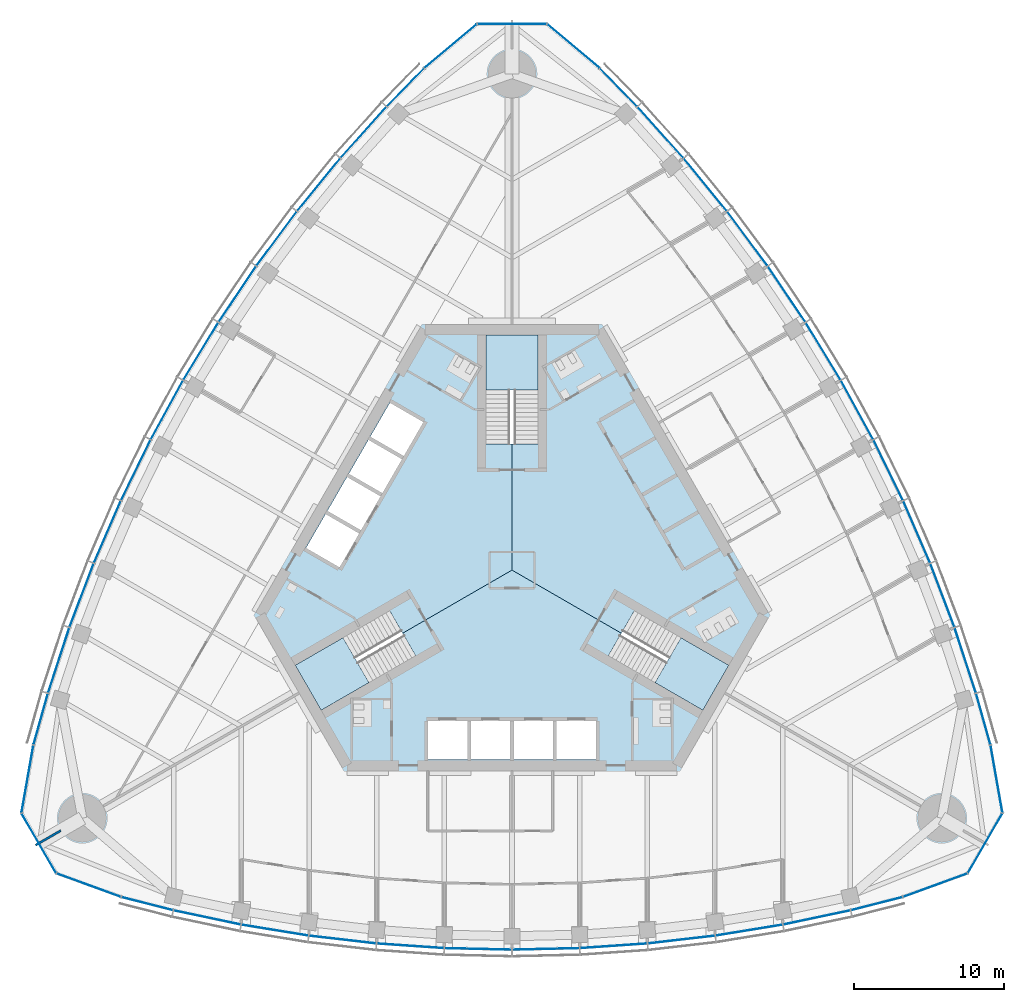
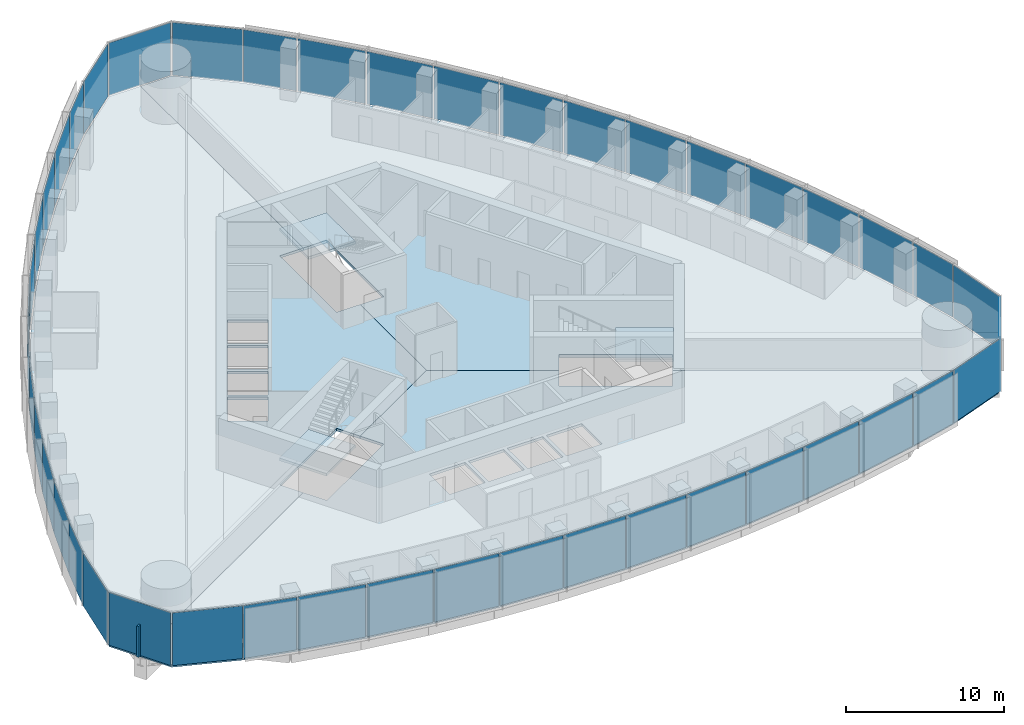
# One storey, part 10 of 20: 45 plates, 6 slabs, 1 wall, 9 elements without a shape of their own.
"""IFC4 building model written with IfcOpenShell, lengths in metres."""

import ifcopenshell
import ifcopenshell.guid

model = None  # the IFC model being written
_history = None  # IfcOwnerHistory: only IFC2X3 demands one
_inside = {}  # id of a spatial element -> (the spatial element, [elements in it])
_under = {}  # id of a project, library or spatial element -> (it, [spatial elements below it])
_declared = {}  # id of a project -> (the project, [libraries it declares])
_typed = {}  # id of a type object -> (the type object, [elements of that type])
_made_of = {}  # id of a material, layer set ... -> (it, [elements and type objects made of it])


def new_model(schema):
    """Start an empty IFC model of exactly this schema.

    Asked for "IFC4X3", IfcOpenShell would pick the latest addendum, in which some entities
    have other attributes; the version numbers below select the first issue.
    IFC2X3 requires an IfcOwnerHistory on every rooted entity: one is made here for all.
    """
    global model, _history
    if schema == "IFC4X3":
        model = ifcopenshell.file(schema_version=(4, 3, 0, 0))
    else:
        model = ifcopenshell.file(schema=schema)
    _inside.clear()
    _under.clear()
    _declared.clear()
    _typed.clear()
    _made_of.clear()
    _history = None
    if model.schema == "IFC2X3":
        org = make("IfcOrganization", Name="unknown")
        user = make(
            "IfcPersonAndOrganization",
            ThePerson=make("IfcPerson", FamilyName="unknown"),
            TheOrganization=org,
        )
        app = make(
            "IfcApplication",
            ApplicationDeveloper=org,
            Version="unknown",
            ApplicationFullName="unknown",
            ApplicationIdentifier="unknown",
        )
        _history = make(
            "IfcOwnerHistory",
            OwningUser=user,
            OwningApplication=app,
            ChangeAction="ADDED",
            CreationDate=0,
        )
    return model


def make(cls, **values):
    """One entity of the class cls with the attributes given. An attribute that is None is left unset."""
    return model.create_entity(
        cls, **{name: value for name, value in values.items() if value is not None}
    )


def rooted(cls, **values):
    """An entity with a GlobalId (a new one), such as an element, a storey or a relation."""
    return make(cls, GlobalId=ifcopenshell.guid.new(), OwnerHistory=_history, **values)


def si_unit(unit_type, name, prefix=None):
    """IfcSIUnit, for example si_unit("LENGTHUNIT", "METRE", prefix="MILLI")."""
    return make("IfcSIUnit", UnitType=unit_type, Prefix=prefix, Name=name)


def assignment(units):
    """IfcUnitAssignment: the units of a project."""
    return None if units is None else make("IfcUnitAssignment", Units=units)


def point(xyz):
    """IfcCartesianPoint."""
    return None if xyz is None else make("IfcCartesianPoint", Coordinates=xyz)


def direction(xyz):
    """IfcDirection."""
    return None if xyz is None else make("IfcDirection", DirectionRatios=xyz)


def frame(location, z_axis=None, x_axis=None):
    """IfcAxis2Placement3D, a coordinate frame: its origin and axes. An axis left out is left unset."""
    return make(
        "IfcAxis2Placement3D",
        Location=point(location),
        Axis=direction(z_axis),
        RefDirection=direction(x_axis),
    )


def frame_2d(location, x_axis=None):
    """IfcAxis2Placement2D, a coordinate frame in the plane: its origin and x axis."""
    return make(
        "IfcAxis2Placement2D", Location=point(location), RefDirection=direction(x_axis)
    )


def origin():
    """The frame at (0, 0, 0) with its axes left unset."""
    return frame((0.0, 0.0, 0.0))


def origin_2d():
    """The frame at (0, 0) in the plane with its x axis left unset."""
    return frame_2d((0.0, 0.0))


def place(relative_to, where):
    """IfcLocalPlacement: puts the frame where relative to a parent placement (None: the world)."""
    return make(
        "IfcLocalPlacement", PlacementRelTo=relative_to, RelativePlacement=where
    )


def context(
    kind, dimensions, precision=None, world=None, true_north=None, identifier=None
):
    """IfcGeometricRepresentationContext, for example the 3D "Model" context."""
    return make(
        "IfcGeometricRepresentationContext",
        ContextIdentifier=identifier,
        ContextType=kind,
        CoordinateSpaceDimension=dimensions,
        Precision=precision,
        WorldCoordinateSystem=world,
        TrueNorth=true_north,
    )


def subcontext(parent, identifier, kind, view, scale=None):
    """IfcGeometricRepresentationSubContext, for example "Body" below "Model"."""
    return make(
        "IfcGeometricRepresentationSubContext",
        ContextIdentifier=identifier,
        ContextType=kind,
        ParentContext=parent,
        TargetScale=scale,
        TargetView=view,
    )


def project(units=None, contexts=None):
    """IfcProject with its units and contexts."""
    return rooted(
        "IfcProject",
        Name="project",
        RepresentationContexts=contexts,
        UnitsInContext=assignment(units),
    )


def spatial(cls, under=None, at=None, **own):
    """A site, building, storey or space (cls), placed at a placement, below another one or the project."""
    s = rooted(cls, ObjectPlacement=at, **own)
    if under is not None:
        _under.setdefault(under.id(), (under, []))[1].append(s)
    return s


def polyline(points):
    """IfcPolyline through the points."""
    return make("IfcPolyline", Points=[point(p) for p in points])


def profile(cls, at=None, kind="AREA", **sizes):
    """A parametric profile (cls). Its sizes go by their IFC names, for example OverallWidth=200.0."""
    return make(cls, ProfileType=kind, Position=at, **sizes)


def rectangle(**sizes):
    """IfcRectangleProfileDef."""
    return profile("IfcRectangleProfileDef", **sizes)


def outline(outer, holes=None, kind="AREA"):
    """IfcArbitraryClosedProfileDef: a profile drawn as a closed curve; with holes, ...WithVoids."""
    if holes is None:
        return make("IfcArbitraryClosedProfileDef", ProfileType=kind, OuterCurve=outer)
    return make(
        "IfcArbitraryProfileDefWithVoids",
        ProfileType=kind,
        OuterCurve=outer,
        InnerCurves=holes,
    )


def extrude(swept, where, along, depth):
    """IfcExtrudedAreaSolid: the profile swept, set in the frame where, extruded along a direction by depth."""
    return make(
        "IfcExtrudedAreaSolid",
        SweptArea=swept,
        Position=where,
        ExtrudedDirection=direction(along),
        Depth=depth,
    )


def shape(context_of_items, identifier, shape_type, items):
    """IfcShapeRepresentation: the items that make up one representation, for example the "Body"."""
    return make(
        "IfcShapeRepresentation",
        ContextOfItems=context_of_items,
        RepresentationIdentifier=identifier,
        RepresentationType=shape_type,
        Items=items,
    )


def material(Name=None, Category=None):
    """IfcMaterial."""
    return make("IfcMaterial", Name=Name, Category=Category)


def layer(
    of_material, thickness, ventilated=None, Name=None, Category=None, Priority=None
):
    """IfcMaterialLayer: one layer of a wall or slab, of a material (None: an air gap)."""
    return make(
        "IfcMaterialLayer",
        Material=of_material,
        LayerThickness=thickness,
        IsVentilated=ventilated,
        Name=Name,
        Category=Category,
        Priority=Priority,
    )


def layer_set(layers, Name=None):
    """IfcMaterialLayerSet."""
    return make("IfcMaterialLayerSet", MaterialLayers=layers, LayerSetName=Name)


def made_of(thing, what):
    """Note that an element or type object is made of a material, layer set ...; save() writes the relation."""
    if what is not None:
        _made_of.setdefault(what.id(), (what, []))[1].append(thing)
    return thing


def type_object(cls, material=None, **own):
    """A type object (cls), such as IfcWallType, which elements share."""
    return made_of(rooted(cls, **own), material)


def element(
    cls,
    number,
    at=None,
    inside=None,
    cuts=None,
    type_object=None,
    material=None,
    context=None,
    identifier="Body",
    shape_type=None,
    held_by="IfcProductDefinitionShape",
    body=None,
    shapes=None,
    **own,
):
    """One element of the class cls, such as IfcWall. Its Tag is "e" and its number.

    at: its placement. inside: the storey or other place that contains it. cuts: it is an
    opening in that element (IfcRelVoidsElement). A single representation is given by context,
    identifier, shape_type and body (its items); several are given by shapes. held_by: the class
    of the entity that holds the representations. save() writes the other relations.
    """
    e = rooted(cls, Tag="e%d" % number, ObjectPlacement=at, **own)
    if body is not None:
        shapes = [shape(context, identifier, shape_type, body)]
    if shapes is not None:
        e.Representation = make(held_by, Representations=shapes)
    if inside is not None:
        _inside.setdefault(inside.id(), (inside, []))[1].append(e)
    if cuts is not None:
        rooted(
            "IfcRelVoidsElement", RelatingBuildingElement=cuts, RelatedOpeningElement=e
        )
    if type_object is not None:
        _typed.setdefault(type_object.id(), (type_object, []))[1].append(e)
    return made_of(e, material)


def aggregate(whole, parts):
    """IfcRelAggregates: a whole, such as a stair, and the parts it consists of."""
    return rooted("IfcRelAggregates", RelatingObject=whole, RelatedObjects=parts)


def save(model, path):
    """Write the relations noted so far, then the file.

    IfcRelAggregates (storeys below a building ...), IfcRelContainedInSpatialStructure (elements
    in a storey), IfcRelDefinesByType, IfcRelAssociatesMaterial and IfcRelDeclares: one each for
    every whole, place, type object, material and project.
    """
    for whole, parts in _under.values():
        aggregate(whole, parts)
    for where, things in _inside.values():
        rooted(
            "IfcRelContainedInSpatialStructure",
            RelatedElements=things,
            RelatingStructure=where,
        )
    for kind, things in _typed.values():
        rooted("IfcRelDefinesByType", RelatedObjects=things, RelatingType=kind)
    for what, things in _made_of.values():
        rooted("IfcRelAssociatesMaterial", RelatedObjects=things, RelatingMaterial=what)
    for by, libraries in _declared.values():
        rooted("IfcRelDeclares", RelatingContext=by, RelatedDefinitions=libraries)
    model.write(path)


model = new_model("IFC4")

# Units and contexts
model_context = context("Model", 3, precision=1e-05, world=origin(), true_north=direction((0.0, 1.0)))
body_context = subcontext(model_context, "Body", "Model", "MODEL_VIEW")
ifc_project = project(units=[si_unit("LENGTHUNIT", "METRE"), si_unit("AREAUNIT", "SQUARE_METRE"), si_unit("VOLUMEUNIT", "CUBIC_METRE"), si_unit("PLANEANGLEUNIT", "RADIAN"), si_unit("MASSUNIT", "GRAM", prefix="KILO")], contexts=[model_context])

# Site, building, storey
site_placement = place(None, origin())
site = spatial("IfcSite", under=ifc_project, at=site_placement, CompositionType="ELEMENT")
building_placement = place(site_placement, origin())
building = spatial("IfcBuilding", under=site, at=building_placement, Name="Trefoil Bronze Tower", CompositionType="ELEMENT")
storey_placement = place(building_placement, frame((0.0, 0.0, 231.699951171875)))
storey = spatial("IfcBuildingStorey", under=building, at=storey_placement, Name="L53", CompositionType="ELEMENT", Elevation=231.699951171875)

# Curtain wall, plates
ifc_material_1 = material(Name="Tinted solar-control glass", Category="glass")
curtain_wall_type_1 = type_object("IfcCurtainWallType", Name="Bronze office curtain wall", PredefinedType="USERDEFINED", material=ifc_material_1)
curtain_wall_1_placement = place(storey_placement, origin())
curtain_wall_1 = element("IfcCurtainWall", 1, at=curtain_wall_1_placement, inside=storey, type_object=curtain_wall_type_1, Name="CW-A L53 F1", ObjectType="CURTAIN WALL", PredefinedType="USERDEFINED")
ifc_material_2 = material(Name="Tinted solar-control glass", Category="glass")
ifc_layer_1 = layer(ifc_material_2, 0.030029296875)
ifc_layer_set_1 = layer_set([ifc_layer_1], Name="Bronze office curtain wall glass panel")
plate_type_1 = type_object("IfcPlateType", Name="Bronze office curtain wall glass panel", PredefinedType="CURTAIN_PANEL", material=ifc_layer_set_1)
plate_1_placement = place(storey_placement, frame((-24.251220703125, -22.188232421875, 0.0), z_axis=(0.0, 0.0, 1.0), x_axis=(0.968934035393, -0.247319297786, 0.0)))
plate_1 = element("IfcPlate", 2, at=plate_1_placement, type_object=plate_type_1, Name="CW-A L53 F1 panel 1", PredefinedType="CURTAIN_PANEL", context=body_context, shape_type="SweptSolid", body=[
    extrude(rectangle(XDim=3.483642578125, YDim=0.030029296875, at=origin_2d()), origin(), (0.0, 0.0, 1.0), 4.080078125),
])
plate_2_placement = place(storey_placement, frame((-20.270751953125, -23.105224609375, 0.0), z_axis=(0.0, 0.0, 1.0), x_axis=(0.978394335897, -0.20674748725, 0.0)))
plate_2 = element("IfcPlate", 3, at=plate_2_placement, type_object=plate_type_1, Name="CW-A L53 F1 panel 2", PredefinedType="CURTAIN_PANEL", context=body_context, shape_type="SweptSolid", body=[
    extrude(rectangle(XDim=4.519287109375, YDim=0.030029296875, at=origin_2d()), origin(), (0.0, 0.0, 1.0), 4.080078125),
])
plate_3_placement = place(storey_placement, frame((-15.76611328125, -23.9482421875, 0.0), z_axis=(0.0, 0.0, 1.0), x_axis=(0.986986549528, -0.160802832848, 0.0)))
plate_3 = element("IfcPlate", 4, at=plate_3_placement, type_object=plate_type_1, Name="CW-A L53 F1 panel 3", PredefinedType="CURTAIN_PANEL", context=body_context, shape_type="SweptSolid", body=[
    extrude(rectangle(XDim=4.479248046875, YDim=0.030029296875, at=origin_2d()), origin(), (0.0, 0.0, 1.0), 4.080078125),
])
plate_4_placement = place(storey_placement, frame((-11.261474609375, -24.57568359375, 0.0), z_axis=(0.0, 0.0, 1.0), x_axis=(0.993381831741, -0.114858767043, 0.0)))
plate_4 = element("IfcPlate", 5, at=plate_4_placement, type_object=plate_type_1, Name="CW-A L53 F1 panel 4", PredefinedType="CURTAIN_PANEL", context=body_context, shape_type="SweptSolid", body=[
    extrude(rectangle(XDim=4.449951171875, YDim=0.030029296875, at=origin_2d()), origin(), (0.0, 0.0, 1.0), 4.080078125),
])
plate_5_placement = place(storey_placement, frame((-6.7568359375, -24.991455078125, 0.0), z_axis=(0.0, 0.0, 1.0), x_axis=(0.99762252804, -0.068915103905, 0.0)))
plate_5 = element("IfcPlate", 6, at=plate_5_placement, type_object=plate_type_1, Name="CW-A L53 F1 panel 5", PredefinedType="CURTAIN_PANEL", context=body_context, shape_type="SweptSolid", body=[
    extrude(rectangle(XDim=4.4306640625, YDim=0.030029296875, at=origin_2d()), origin(), (0.0, 0.0, 1.0), 4.080078125),
])
plate_6_placement = place(storey_placement, frame((-2.252197265625, -25.198974609375, 0.0), z_axis=(0.0, 0.0, 1.0), x_axis=(0.999736116243, -0.022971675577, 0.0)))
plate_6 = element("IfcPlate", 7, at=plate_6_placement, type_object=plate_type_1, Name="CW-A L53 F1 panel 6", PredefinedType="CURTAIN_PANEL", context=body_context, shape_type="SweptSolid", body=[
    extrude(rectangle(XDim=4.421142578125, YDim=0.030029296875, at=origin_2d()), origin(), (0.0, 0.0, 1.0), 4.080078125),
])
plate_7_placement = place(storey_placement, frame((2.252197265625, -25.198974609375, 0.0), z_axis=(0.0, 0.0, 1.0), x_axis=(0.999736116243, 0.022971675577, 0.0)))
plate_7 = element("IfcPlate", 8, at=plate_7_placement, type_object=plate_type_1, Name="CW-A L53 F1 panel 7", PredefinedType="CURTAIN_PANEL", context=body_context, shape_type="SweptSolid", body=[
    extrude(rectangle(XDim=4.421142578125, YDim=0.030029296875, at=origin_2d()), origin(), (0.0, 0.0, 1.0), 4.080078125),
])
plate_8_placement = place(storey_placement, frame((6.7568359375, -24.991455078125, 0.0), z_axis=(0.0, 0.0, 1.0), x_axis=(0.99762252804, 0.068915103905, 0.0)))
plate_8 = element("IfcPlate", 9, at=plate_8_placement, type_object=plate_type_1, Name="CW-A L53 F1 panel 8", PredefinedType="CURTAIN_PANEL", context=body_context, shape_type="SweptSolid", body=[
    extrude(rectangle(XDim=4.4306640625, YDim=0.030029296875, at=origin_2d()), origin(), (0.0, 0.0, 1.0), 4.080078125),
])
plate_9_placement = place(storey_placement, frame((11.261474609375, -24.57568359375, 0.0), z_axis=(0.0, 0.0, 1.0), x_axis=(0.993381831741, 0.114858767043, 0.0)))
plate_9 = element("IfcPlate", 10, at=plate_9_placement, type_object=plate_type_1, Name="CW-A L53 F1 panel 9", PredefinedType="CURTAIN_PANEL", context=body_context, shape_type="SweptSolid", body=[
    extrude(rectangle(XDim=4.449951171875, YDim=0.030029296875, at=origin_2d()), origin(), (0.0, 0.0, 1.0), 4.080078125),
])
plate_10_placement = place(storey_placement, frame((15.76611328125, -23.9482421875, 0.0), z_axis=(0.0, 0.0, 1.0), x_axis=(0.986986549528, 0.160802832848, 0.0)))
plate_10 = element("IfcPlate", 11, at=plate_10_placement, type_object=plate_type_1, Name="CW-A L53 F1 panel 10", PredefinedType="CURTAIN_PANEL", context=body_context, shape_type="SweptSolid", body=[
    extrude(rectangle(XDim=4.479248046875, YDim=0.030029296875, at=origin_2d()), origin(), (0.0, 0.0, 1.0), 4.080078125),
])
plate_11_placement = place(storey_placement, frame((20.270751953125, -23.105224609375, 0.0), z_axis=(0.0, 0.0, 1.0), x_axis=(0.978394335897, 0.20674748725, 0.0)))
plate_11 = element("IfcPlate", 12, at=plate_11_placement, type_object=plate_type_1, Name="CW-A L53 F1 panel 11", PredefinedType="CURTAIN_PANEL", context=body_context, shape_type="SweptSolid", body=[
    extrude(rectangle(XDim=4.519287109375, YDim=0.030029296875, at=origin_2d()), origin(), (0.0, 0.0, 1.0), 4.080078125),
])
plate_12_placement = place(storey_placement, frame((24.251220703125, -22.188232421875, 0.0), z_axis=(0.0, 0.0, 1.0), x_axis=(0.968934035393, 0.247319297786, 0.0)))
plate_12 = element("IfcPlate", 13, at=plate_12_placement, type_object=plate_type_1, Name="CW-A L53 F1 panel 12", PredefinedType="CURTAIN_PANEL", context=body_context, shape_type="SweptSolid", body=[
    extrude(rectangle(XDim=3.483642578125, YDim=0.030029296875, at=origin_2d()), origin(), (0.0, 0.0, 1.0), 4.080078125),
])
aggregate(curtain_wall_1, [plate_1, plate_2, plate_3, plate_4, plate_5, plate_6, plate_7, plate_8, plate_9, plate_10, plate_11, plate_12])

curtain_wall_2_placement = place(storey_placement, origin())
curtain_wall_2 = element("IfcCurtainWall", 14, at=curtain_wall_2_placement, inside=storey, type_object=curtain_wall_type_1, Name="CW-A L53 F2", ObjectType="CURTAIN WALL", PredefinedType="USERDEFINED")
plate_13_placement = place(storey_placement, frame((31.341064453125, -9.907958984375, 0.0), z_axis=(0.0, 0.0, 1.0), x_axis=(-0.270282222968, 0.962781138134, 0.0)))
plate_13 = element("IfcPlate", 15, at=plate_13_placement, type_object=plate_type_1, Name="CW-A L53 F2 panel 1", PredefinedType="CURTAIN_PANEL", context=body_context, shape_type="SweptSolid", body=[
    extrude(rectangle(XDim=3.483642578125, YDim=0.030029296875, at=origin_2d()), origin(), (0.0, 0.0, 1.0), 4.080078125),
])
plate_14_placement = place(storey_placement, frame((30.14501953125, -6.002197265625, 0.0), z_axis=(0.0, 0.0, 1.0), x_axis=(-0.310148591821, 0.950688093431, 0.0)))
plate_14 = element("IfcPlate", 16, at=plate_14_placement, type_object=plate_type_1, Name="CW-A L53 F2 panel 2", PredefinedType="CURTAIN_PANEL", context=body_context, shape_type="SweptSolid", body=[
    extrude(rectangle(XDim=4.519287109375, YDim=0.030029296875, at=origin_2d()), origin(), (0.0, 0.0, 1.0), 4.080078125),
])
plate_15_placement = place(storey_placement, frame((28.622802734375, -1.6796875, 0.0), z_axis=(0.0, 0.0, 1.0), x_axis=(-0.354233936517, 0.935156841508, 0.0)))
plate_15 = element("IfcPlate", 17, at=plate_15_placement, type_object=plate_type_1, Name="CW-A L53 F2 panel 3", PredefinedType="CURTAIN_PANEL", context=body_context, shape_type="SweptSolid", body=[
    extrude(rectangle(XDim=4.479248046875, YDim=0.030029296875, at=origin_2d()), origin(), (0.0, 0.0, 1.0), 4.080078125),
])
plate_16_placement = place(storey_placement, frame((26.913818359375, 2.53515625, 0.0), z_axis=(0.0, 0.0, 1.0), x_axis=(-0.397220305764, 0.917723285467, 0.0)))
plate_16 = element("IfcPlate", 18, at=plate_16_placement, type_object=plate_type_1, Name="CW-A L53 F2 panel 4", PredefinedType="CURTAIN_PANEL", context=body_context, shape_type="SweptSolid", body=[
    extrude(rectangle(XDim=4.449951171875, YDim=0.030029296875, at=origin_2d()), origin(), (0.0, 0.0, 1.0), 4.080078125),
])
plate_17_placement = place(storey_placement, frame((25.021728515625, 6.64404296875, 0.0), z_axis=(0.0, 0.0, 1.0), x_axis=(-0.439129033334, 0.898424004623, 0.0)))
plate_17 = element("IfcPlate", 19, at=plate_17_placement, type_object=plate_type_1, Name="CW-A L53 F2 panel 5", PredefinedType="CURTAIN_PANEL", context=body_context, shape_type="SweptSolid", body=[
    extrude(rectangle(XDim=4.4306640625, YDim=0.030029296875, at=origin_2d()), origin(), (0.0, 0.0, 1.0), 4.080078125),
])
plate_18_placement = place(storey_placement, frame((22.948974609375, 10.64892578125, 0.0), z_axis=(0.0, 0.0, 1.0), x_axis=(-0.479974003504, 0.877282711536, 0.0)))
plate_18 = element("IfcPlate", 20, at=plate_18_placement, type_object=plate_type_1, Name="CW-A L53 F2 panel 6", PredefinedType="CURTAIN_PANEL", context=body_context, shape_type="SweptSolid", body=[
    extrude(rectangle(XDim=4.421142578125, YDim=0.030029296875, at=origin_2d()), origin(), (0.0, 0.0, 1.0), 4.080078125),
])
plate_19_placement = place(storey_placement, frame((20.69677734375, 14.550048828125, 0.0), z_axis=(0.0, 0.0, 1.0), x_axis=(-0.519762112739, 0.854311035959, 0.0)))
plate_19 = element("IfcPlate", 21, at=plate_19_placement, type_object=plate_type_1, Name="CW-A L53 F2 panel 7", PredefinedType="CURTAIN_PANEL", context=body_context, shape_type="SweptSolid", body=[
    extrude(rectangle(XDim=4.421142578125, YDim=0.030029296875, at=origin_2d()), origin(), (0.0, 0.0, 1.0), 4.080078125),
])
plate_20_placement = place(storey_placement, frame((18.264892578125, 18.347412109375, 0.0), z_axis=(0.0, 0.0, 1.0), x_axis=(-0.558493494706, 0.829508900718, 0.0)))
plate_20 = element("IfcPlate", 22, at=plate_20_placement, type_object=plate_type_1, Name="CW-A L53 F2 panel 8", PredefinedType="CURTAIN_PANEL", context=body_context, shape_type="SweptSolid", body=[
    extrude(rectangle(XDim=4.4306640625, YDim=0.030029296875, at=origin_2d()), origin(), (0.0, 0.0, 1.0), 4.080078125),
])
plate_21_placement = place(storey_placement, frame((15.65234375, 22.04052734375, 0.0), z_axis=(0.0, 0.0, 1.0), x_axis=(-0.596161525977, 0.802864518425, 0.0)))
plate_21 = element("IfcPlate", 23, at=plate_21_placement, type_object=plate_type_1, Name="CW-A L53 F2 panel 9", PredefinedType="CURTAIN_PANEL", context=body_context, shape_type="SweptSolid", body=[
    extrude(rectangle(XDim=4.449951171875, YDim=0.030029296875, at=origin_2d()), origin(), (0.0, 0.0, 1.0), 4.080078125),
])
plate_22_placement = place(storey_placement, frame((12.856689453125, 25.6279296875, 0.0), z_axis=(0.0, 0.0, 1.0), x_axis=(-0.63275261301, 0.774354008661, 0.0)))
plate_22 = element("IfcPlate", 24, at=plate_22_placement, type_object=plate_type_1, Name="CW-A L53 F2 panel 10", PredefinedType="CURTAIN_PANEL", context=body_context, shape_type="SweptSolid", body=[
    extrude(rectangle(XDim=4.479248046875, YDim=0.030029296875, at=origin_2d()), origin(), (0.0, 0.0, 1.0), 4.080078125),
])
plate_23_placement = place(storey_placement, frame((9.87451171875, 29.107666015625, 0.0), z_axis=(0.0, 0.0, 1.0), x_axis=(-0.668245744076, 0.743940606181, 0.0)))
plate_23 = element("IfcPlate", 25, at=plate_23_placement, type_object=plate_type_1, Name="CW-A L53 F2 panel 11", PredefinedType="CURTAIN_PANEL", context=body_context, shape_type="SweptSolid", body=[
    extrude(rectangle(XDim=4.519287109375, YDim=0.030029296875, at=origin_2d()), origin(), (0.0, 0.0, 1.0), 4.080078125),
])
plate_24_placement = place(storey_placement, frame((7.08984375, 32.09619140625, 0.0), z_axis=(0.0, 0.0, 1.0), x_axis=(-0.698651812425, 0.715461840349, 0.0)))
plate_24 = element("IfcPlate", 26, at=plate_24_placement, type_object=plate_type_1, Name="CW-A L53 F2 panel 12", PredefinedType="CURTAIN_PANEL", context=body_context, shape_type="SweptSolid", body=[
    extrude(rectangle(XDim=3.483642578125, YDim=0.030029296875, at=origin_2d()), origin(), (0.0, 0.0, 1.0), 4.080078125),
])
aggregate(curtain_wall_2, [plate_13, plate_14, plate_15, plate_16, plate_17, plate_18, plate_19, plate_20, plate_21, plate_22, plate_23, plate_24])

curtain_wall_3_placement = place(storey_placement, origin())
curtain_wall_3 = element("IfcCurtainWall", 27, at=curtain_wall_3_placement, inside=storey, type_object=curtain_wall_type_1, Name="CW-A L53 F3", ObjectType="CURTAIN WALL", PredefinedType="USERDEFINED")
plate_25_placement = place(storey_placement, frame((-7.08984375, 32.09619140625, 0.0), z_axis=(0.0, 0.0, 1.0), x_axis=(-0.698651812425, -0.715461840349, 0.0)))
plate_25 = element("IfcPlate", 28, at=plate_25_placement, type_object=plate_type_1, Name="CW-A L53 F3 panel 1", PredefinedType="CURTAIN_PANEL", context=body_context, shape_type="SweptSolid", body=[
    extrude(rectangle(XDim=3.483642578125, YDim=0.030029296875, at=origin_2d()), origin(), (0.0, 0.0, 1.0), 4.080078125),
])
plate_26_placement = place(storey_placement, frame((-9.87451171875, 29.107666015625, 0.0), z_axis=(0.0, 0.0, 1.0), x_axis=(-0.668245744076, -0.743940606181, 0.0)))
plate_26 = element("IfcPlate", 29, at=plate_26_placement, type_object=plate_type_1, Name="CW-A L53 F3 panel 2", PredefinedType="CURTAIN_PANEL", context=body_context, shape_type="SweptSolid", body=[
    extrude(rectangle(XDim=4.519287109375, YDim=0.030029296875, at=origin_2d()), origin(), (0.0, 0.0, 1.0), 4.080078125),
])
plate_27_placement = place(storey_placement, frame((-12.856689453125, 25.6279296875, 0.0), z_axis=(0.0, 0.0, 1.0), x_axis=(-0.63275261301, -0.774354008661, 0.0)))
plate_27 = element("IfcPlate", 30, at=plate_27_placement, type_object=plate_type_1, Name="CW-A L53 F3 panel 3", PredefinedType="CURTAIN_PANEL", context=body_context, shape_type="SweptSolid", body=[
    extrude(rectangle(XDim=4.479248046875, YDim=0.030029296875, at=origin_2d()), origin(), (0.0, 0.0, 1.0), 4.080078125),
])
plate_28_placement = place(storey_placement, frame((-15.65234375, 22.04052734375, 0.0), z_axis=(0.0, 0.0, 1.0), x_axis=(-0.596161525977, -0.802864518425, 0.0)))
plate_28 = element("IfcPlate", 31, at=plate_28_placement, type_object=plate_type_1, Name="CW-A L53 F3 panel 4", PredefinedType="CURTAIN_PANEL", context=body_context, shape_type="SweptSolid", body=[
    extrude(rectangle(XDim=4.449951171875, YDim=0.030029296875, at=origin_2d()), origin(), (0.0, 0.0, 1.0), 4.080078125),
])
plate_29_placement = place(storey_placement, frame((-18.264892578125, 18.347412109375, 0.0), z_axis=(0.0, 0.0, 1.0), x_axis=(-0.558493494706, -0.829508900718, 0.0)))
plate_29 = element("IfcPlate", 32, at=plate_29_placement, type_object=plate_type_1, Name="CW-A L53 F3 panel 5", PredefinedType="CURTAIN_PANEL", context=body_context, shape_type="SweptSolid", body=[
    extrude(rectangle(XDim=4.4306640625, YDim=0.030029296875, at=origin_2d()), origin(), (0.0, 0.0, 1.0), 4.080078125),
])
plate_30_placement = place(storey_placement, frame((-20.69677734375, 14.550048828125, 0.0), z_axis=(0.0, 0.0, 1.0), x_axis=(-0.519762112739, -0.854311035959, 0.0)))
plate_30 = element("IfcPlate", 33, at=plate_30_placement, type_object=plate_type_1, Name="CW-A L53 F3 panel 6", PredefinedType="CURTAIN_PANEL", context=body_context, shape_type="SweptSolid", body=[
    extrude(rectangle(XDim=4.421142578125, YDim=0.030029296875, at=origin_2d()), origin(), (0.0, 0.0, 1.0), 4.080078125),
])
plate_31_placement = place(storey_placement, frame((-22.948974609375, 10.64892578125, 0.0), z_axis=(0.0, 0.0, 1.0), x_axis=(-0.479974003504, -0.877282711536, 0.0)))
plate_31 = element("IfcPlate", 34, at=plate_31_placement, type_object=plate_type_1, Name="CW-A L53 F3 panel 7", PredefinedType="CURTAIN_PANEL", context=body_context, shape_type="SweptSolid", body=[
    extrude(rectangle(XDim=4.421142578125, YDim=0.030029296875, at=origin_2d()), origin(), (0.0, 0.0, 1.0), 4.080078125),
])
plate_32_placement = place(storey_placement, frame((-25.021728515625, 6.64404296875, 0.0), z_axis=(0.0, 0.0, 1.0), x_axis=(-0.439129033334, -0.898424004623, 0.0)))
plate_32 = element("IfcPlate", 35, at=plate_32_placement, type_object=plate_type_1, Name="CW-A L53 F3 panel 8", PredefinedType="CURTAIN_PANEL", context=body_context, shape_type="SweptSolid", body=[
    extrude(rectangle(XDim=4.4306640625, YDim=0.030029296875, at=origin_2d()), origin(), (0.0, 0.0, 1.0), 4.080078125),
])
plate_33_placement = place(storey_placement, frame((-26.913818359375, 2.53515625, 0.0), z_axis=(0.0, 0.0, 1.0), x_axis=(-0.397220305764, -0.917723285467, 0.0)))
plate_33 = element("IfcPlate", 36, at=plate_33_placement, type_object=plate_type_1, Name="CW-A L53 F3 panel 9", PredefinedType="CURTAIN_PANEL", context=body_context, shape_type="SweptSolid", body=[
    extrude(rectangle(XDim=4.449951171875, YDim=0.030029296875, at=origin_2d()), origin(), (0.0, 0.0, 1.0), 4.080078125),
])
plate_34_placement = place(storey_placement, frame((-28.622802734375, -1.6796875, 0.0), z_axis=(0.0, 0.0, 1.0), x_axis=(-0.354233936517, -0.935156841508, 0.0)))
plate_34 = element("IfcPlate", 37, at=plate_34_placement, type_object=plate_type_1, Name="CW-A L53 F3 panel 10", PredefinedType="CURTAIN_PANEL", context=body_context, shape_type="SweptSolid", body=[
    extrude(rectangle(XDim=4.479248046875, YDim=0.030029296875, at=origin_2d()), origin(), (0.0, 0.0, 1.0), 4.080078125),
])
plate_35_placement = place(storey_placement, frame((-30.14501953125, -6.002197265625, 0.0), z_axis=(0.0, 0.0, 1.0), x_axis=(-0.310148591821, -0.950688093431, 0.0)))
plate_35 = element("IfcPlate", 38, at=plate_35_placement, type_object=plate_type_1, Name="CW-A L53 F3 panel 11", PredefinedType="CURTAIN_PANEL", context=body_context, shape_type="SweptSolid", body=[
    extrude(rectangle(XDim=4.519287109375, YDim=0.030029296875, at=origin_2d()), origin(), (0.0, 0.0, 1.0), 4.080078125),
])
plate_36_placement = place(storey_placement, frame((-31.341064453125, -9.907958984375, 0.0), z_axis=(0.0, 0.0, 1.0), x_axis=(-0.270282222968, -0.962781138134, 0.0)))
plate_36 = element("IfcPlate", 39, at=plate_36_placement, type_object=plate_type_1, Name="CW-A L53 F3 panel 12", PredefinedType="CURTAIN_PANEL", context=body_context, shape_type="SweptSolid", body=[
    extrude(rectangle(XDim=3.483642578125, YDim=0.030029296875, at=origin_2d()), origin(), (0.0, 0.0, 1.0), 4.080078125),
])
aggregate(curtain_wall_3, [plate_25, plate_26, plate_27, plate_28, plate_29, plate_30, plate_31, plate_32, plate_33, plate_34, plate_35, plate_36])

ifc_material_3 = material(Name="Tinted solar-control glass", Category="glass")
curtain_wall_type_2 = type_object("IfcCurtainWallType", Name="Bronze rounded corner curtain wall", PredefinedType="USERDEFINED", material=ifc_material_3)
curtain_wall_4_placement = place(storey_placement, origin())
curtain_wall_4 = element("IfcCurtainWall", 40, at=curtain_wall_4_placement, inside=storey, type_object=curtain_wall_type_2, Name="CW-B L53 K1", ObjectType="CURTAIN WALL", PredefinedType="USERDEFINED")
ifc_material_4 = material(Name="Tinted solar-control glass", Category="glass")
ifc_layer_2 = layer(ifc_material_4, 0.030029296875)
ifc_layer_set_2 = layer_set([ifc_layer_2], Name="Bronze rounded corner curtain wall glass panel")
plate_type_2 = type_object("IfcPlateType", Name="Bronze rounded corner curtain wall glass panel", PredefinedType="CURTAIN_PANEL", material=ifc_layer_set_2)
plate_37_placement = place(storey_placement, frame((28.1298828125, -20.96484375, 0.0), z_axis=(0.0, 0.0, 1.0), x_axis=(0.939692620786, 0.342020143326, 0.0)))
plate_37 = element("IfcPlate", 41, at=plate_37_placement, type_object=plate_type_2, Name="CW-B L53 K1 panel 1", PredefinedType="CURTAIN_PANEL", context=body_context, shape_type="SweptSolid", body=[
    extrude(rectangle(XDim=4.500244140625, YDim=0.030029296875, at=origin_2d()), origin(), (0.0, 0.0, 1.0), 4.080078125),
])
plate_38_placement = place(storey_placement, frame((31.46484375, -18.166259765625, 0.0), z_axis=(0.0, 0.0, 1.0), x_axis=(0.5, 0.866025403784, 0.0)))
plate_38 = element("IfcPlate", 42, at=plate_38_placement, type_object=plate_type_2, Name="CW-B L53 K1 panel 2", PredefinedType="CURTAIN_PANEL", context=body_context, shape_type="SweptSolid", body=[
    extrude(rectangle(XDim=4.500244140625, YDim=0.030029296875, at=origin_2d()), origin(), (0.0, 0.0, 1.0), 4.080078125),
])
plate_39_placement = place(storey_placement, frame((32.220947265625, -13.878662109375, 0.0), z_axis=(0.0, 0.0, 1.0), x_axis=(-0.173648177667, 0.984807753012, 0.0)))
plate_39 = element("IfcPlate", 43, at=plate_39_placement, type_object=plate_type_2, Name="CW-B L53 K1 panel 3", PredefinedType="CURTAIN_PANEL", context=body_context, shape_type="SweptSolid", body=[
    extrude(rectangle(XDim=4.500244140625, YDim=0.030029296875, at=origin_2d()), origin(), (0.0, 0.0, 1.0), 4.080078125),
])
aggregate(curtain_wall_4, [plate_37, plate_38, plate_39])

curtain_wall_5_placement = place(storey_placement, origin())
curtain_wall_5 = element("IfcCurtainWall", 44, at=curtain_wall_5_placement, inside=storey, type_object=curtain_wall_type_2, Name="CW-B L53 K2", ObjectType="CURTAIN WALL", PredefinedType="USERDEFINED")
plate_40_placement = place(storey_placement, frame((4.091064453125, 34.843505859375, 0.0), z_axis=(0.0, 0.0, 1.0), x_axis=(-0.766044443119, 0.642787609687, 0.0)))
plate_40 = element("IfcPlate", 45, at=plate_40_placement, type_object=plate_type_2, Name="CW-B L53 K2 panel 1", PredefinedType="CURTAIN_PANEL", context=body_context, shape_type="SweptSolid", body=[
    extrude(rectangle(XDim=4.500244140625, YDim=0.030029296875, at=origin_2d()), origin(), (0.0, 0.0, 1.0), 4.080078125),
])
plate_41_placement = place(storey_placement, frame((0.0, 36.33251953125, 0.0), z_axis=(0.0, 0.0, 1.0), x_axis=(-1.0, 0.0, 0.0)))
plate_41 = element("IfcPlate", 46, at=plate_41_placement, type_object=plate_type_2, Name="CW-B L53 K2 panel 2", PredefinedType="CURTAIN_PANEL", context=body_context, shape_type="SweptSolid", body=[
    extrude(rectangle(XDim=4.500244140625, YDim=0.030029296875, at=origin_2d()), origin(), (0.0, 0.0, 1.0), 4.080078125),
])
plate_42_placement = place(storey_placement, frame((-4.091064453125, 34.843505859375, 0.0), z_axis=(0.0, 0.0, 1.0), x_axis=(-0.766044443119, -0.642787609687, 0.0)))
plate_42 = element("IfcPlate", 47, at=plate_42_placement, type_object=plate_type_2, Name="CW-B L53 K2 panel 3", PredefinedType="CURTAIN_PANEL", context=body_context, shape_type="SweptSolid", body=[
    extrude(rectangle(XDim=4.500244140625, YDim=0.030029296875, at=origin_2d()), origin(), (0.0, 0.0, 1.0), 4.080078125),
])
aggregate(curtain_wall_5, [plate_40, plate_41, plate_42])

curtain_wall_6_placement = place(storey_placement, origin())
curtain_wall_6 = element("IfcCurtainWall", 48, at=curtain_wall_6_placement, inside=storey, type_object=curtain_wall_type_2, Name="CW-B L53 K3", ObjectType="CURTAIN WALL", PredefinedType="USERDEFINED")
plate_43_placement = place(storey_placement, frame((-32.220947265625, -13.878662109375, 0.0), z_axis=(0.0, 0.0, 1.0), x_axis=(-0.173648177667, -0.984807753012, 0.0)))
plate_43 = element("IfcPlate", 49, at=plate_43_placement, type_object=plate_type_2, Name="CW-B L53 K3 panel 1", PredefinedType="CURTAIN_PANEL", context=body_context, shape_type="SweptSolid", body=[
    extrude(rectangle(XDim=4.500244140625, YDim=0.030029296875, at=origin_2d()), origin(), (0.0, 0.0, 1.0), 4.080078125),
])
plate_44_placement = place(storey_placement, frame((-31.46484375, -18.166259765625, 0.0), z_axis=(0.0, 0.0, 1.0), x_axis=(0.5, -0.866025403784, 0.0)))
plate_44 = element("IfcPlate", 50, at=plate_44_placement, type_object=plate_type_2, Name="CW-B L53 K3 panel 2", PredefinedType="CURTAIN_PANEL", context=body_context, shape_type="SweptSolid", body=[
    extrude(rectangle(XDim=4.500244140625, YDim=0.030029296875, at=origin_2d()), origin(), (0.0, 0.0, 1.0), 4.080078125),
])
plate_45_placement = place(storey_placement, frame((-28.1298828125, -20.96484375, 0.0), z_axis=(0.0, 0.0, 1.0), x_axis=(0.939692620786, -0.342020143326, 0.0)))
plate_45 = element("IfcPlate", 51, at=plate_45_placement, type_object=plate_type_2, Name="CW-B L53 K3 panel 3", PredefinedType="CURTAIN_PANEL", context=body_context, shape_type="SweptSolid", body=[
    extrude(rectangle(XDim=4.500244140625, YDim=0.030029296875, at=origin_2d()), origin(), (0.0, 0.0, 1.0), 4.080078125),
])
aggregate(curtain_wall_6, [plate_43, plate_44, plate_45])

# Slabs
ifc_material_5 = material(Name="Concrete B30", Category="concrete")
ifc_layer_3 = layer(ifc_material_5, 0.199951171875)
ifc_layer_set_3 = layer_set([ifc_layer_3], Name="Floor slab 200")
slab_type_1 = type_object("IfcSlabType", Name="Floor slab 200", PredefinedType="FLOOR", material=ifc_layer_set_3)
slab_1_placement = place(storey_placement, frame((0.0, 0.0, -0.199951171875)))
element("IfcSlab", 52, at=slab_1_placement, inside=storey, type_object=slab_type_1, Name="Floor slab L53 face 1", PredefinedType="FLOOR", context=body_context, shape_type="SweptSolid", body=[
    extrude(outline(polyline([(18.0, -23.48291015625), (13.5, -24.216064453125), (9.0, -24.736328125), (4.5, -25.047119140625), (0.0, -25.150634765625), (-4.5, -25.047119140625), (-9.0, -24.736328125), (-13.5, -24.216064453125), (-18.0, -23.48291015625), (-22.5, -22.531982421875), (-25.952880859375, -21.650634765625), (-30.23828125, -20.0908203125), (-31.37841796875, -18.1162109375), (-13.510009765625, -7.800048828125), (-12.6474609375, -9.2939453125), (-6.412109375, -5.69384765625), (-7.274658203125, -4.199951171875), (0.0, 0.0), (7.274658203125, -4.199951171875), (6.412109375, -5.69384765625), (12.6474609375, -9.2939453125), (13.510009765625, -7.800048828125), (31.37841796875, -18.1162109375), (30.23828125, -20.0908203125), (25.952880859375, -21.650634765625), (22.5, -22.531982421875), (18.0, -23.48291015625)]), holes=[polyline([(-5.574951171875, -10.02490234375), (-2.97509765625, -10.02490234375), (-2.97509765625, -12.60009765625), (-5.574951171875, -12.60009765625), (-5.574951171875, -10.02490234375)]), polyline([(-2.72509765625, -10.02490234375), (-0.125, -10.02490234375), (-0.125, -12.60009765625), (-2.72509765625, -12.60009765625), (-2.72509765625, -10.02490234375)]), polyline([(0.125, -10.02490234375), (2.72509765625, -10.02490234375), (2.72509765625, -12.60009765625), (0.125, -12.60009765625), (0.125, -10.02490234375)]), polyline([(2.97509765625, -10.02490234375), (5.574951171875, -10.02490234375), (5.574951171875, -12.60009765625), (2.97509765625, -12.60009765625), (2.97509765625, -10.02490234375)])]), origin(), (0.0, 0.0, 1.0), 0.199951171875),
])
slab_2_placement = place(storey_placement, frame((0.0, 0.0, -0.199951171875)))
element("IfcSlab", 53, at=slab_2_placement, inside=storey, type_object=slab_type_1, Name="Floor slab L53 face 2", PredefinedType="FLOOR", context=body_context, shape_type="SweptSolid", body=[
    extrude(outline(polyline([(11.3369140625, 27.329833984375), (14.2216796875, 23.79931640625), (16.92236328125, 20.162353515625), (19.441650390625, 16.420654296875), (21.781005859375, 12.575439453125), (23.941650390625, 8.62646484375), (25.92236328125, 4.573974609375), (27.7216796875, 0.416748046875), (29.3369140625, -3.846923828125), (30.76318359375, -8.219482421875), (31.7265625, -11.650634765625), (32.518310546875, -16.1416015625), (31.37841796875, -18.1162109375), (13.510009765625, -7.800048828125), (14.37255859375, -6.30615234375), (8.13720703125, -2.7060546875), (7.274658203125, -4.199951171875), (0.0, 0.0), (0.0, 8.39990234375), (1.72509765625, 8.39990234375), (1.72509765625, 15.60009765625), (0.0, 15.60009765625), (0.0, 36.232666015625), (2.280029296875, 36.232666015625), (5.7734375, 33.30126953125), (8.26318359375, 30.75146484375), (11.3369140625, 27.329833984375)])), origin(), (0.0, 0.0, 1.0), 0.199951171875),
])
slab_3_placement = place(storey_placement, frame((0.0, 0.0, -0.199951171875)))
element("IfcSlab", 54, at=slab_3_placement, inside=storey, type_object=slab_type_1, Name="Floor slab L53 face 3", PredefinedType="FLOOR", context=body_context, shape_type="SweptSolid", body=[
    extrude(outline(polyline([(-29.3369140625, -3.846923828125), (-27.7216796875, 0.416748046875), (-25.92236328125, 4.573974609375), (-23.941650390625, 8.62646484375), (-21.781005859375, 12.575439453125), (-19.441650390625, 16.420654296875), (-16.92236328125, 20.162353515625), (-14.2216796875, 23.79931640625), (-11.3369140625, 27.329833984375), (-8.26318359375, 30.75146484375), (-5.7734375, 33.30126953125), (-2.280029296875, 36.232666015625), (0.0, 36.232666015625), (0.0, 15.60009765625), (-1.72509765625, 15.60009765625), (-1.72509765625, 8.39990234375), (0.0, 8.39990234375), (0.0, 0.0), (-7.274658203125, -4.199951171875), (-8.13720703125, -2.7060546875), (-14.37255859375, -6.30615234375), (-13.510009765625, -7.800048828125), (-31.37841796875, -18.1162109375), (-32.518310546875, -16.1416015625), (-31.7265625, -11.650634765625), (-30.76318359375, -8.219482421875), (-29.3369140625, -3.846923828125)]), holes=[polyline([(-5.894287109375, 9.840576171875), (-7.1943359375, 7.5888671875), (-9.42431640625, 8.87646484375), (-8.12451171875, 11.128173828125), (-5.894287109375, 9.840576171875)]), polyline([(-7.3193359375, 7.372314453125), (-8.619384765625, 5.120849609375), (-10.849365234375, 6.408203125), (-9.54931640625, 8.659912109375), (-7.3193359375, 7.372314453125)]), polyline([(-8.744384765625, 4.904296875), (-10.04443359375, 2.652587890625), (-12.2744140625, 3.940185546875), (-10.974365234375, 6.191650390625), (-8.744384765625, 4.904296875)]), polyline([(-10.16943359375, 2.43603515625), (-11.469482421875, 0.184326171875), (-13.699462890625, 1.471923828125), (-12.3994140625, 3.7236328125), (-10.16943359375, 2.43603515625)])]), origin(), (0.0, 0.0, 1.0), 0.199951171875),
])

# Stair, slab
ifc_material_6 = material(Name="Precast concrete B80", Category="concrete")
stair_type = type_object("IfcStairType", Name="Exit stair 26 risers", PredefinedType="HALF_TURN_STAIR", material=ifc_material_6)
stair_1_placement = place(storey_placement, origin())
stair_1 = element("IfcStair", 55, at=stair_1_placement, inside=storey, type_object=stair_type, Name="Stair ST1 L53", PredefinedType="HALF_TURN_STAIR")
ifc_material_7 = material(Name="Concrete B30", Category="concrete")
ifc_layer_4 = layer(ifc_material_7, 0.199951171875)
ifc_layer_set_4 = layer_set([ifc_layer_4], Name="Stair landing 200")
slab_type_2 = type_object("IfcSlabType", Name="Stair landing 200", PredefinedType="LANDING", material=ifc_layer_set_4)
slab_4_placement = place(storey_placement, frame((0.0, 0.0, 1.900146484375)))
slab_4 = element("IfcSlab", 56, at=slab_4_placement, type_object=slab_type_2, Name="ST1 landing 1", PredefinedType="LANDING", context=body_context, shape_type="SweptSolid", body=[
    extrude(outline(polyline([(9.512451171875, -7.48388671875), (12.69091796875, -9.31884765625), (14.415771484375, -6.3310546875), (11.237548828125, -4.49609375), (9.512451171875, -7.48388671875)])), origin(), (0.0, 0.0, 1.0), 0.199951171875),
])
aggregate(stair_1, [slab_4])

stair_2_placement = place(storey_placement, origin())
stair_2 = element("IfcStair", 57, at=stair_2_placement, inside=storey, type_object=stair_type, Name="Stair ST2 L53", PredefinedType="HALF_TURN_STAIR")
slab_5_placement = place(storey_placement, frame((0.0, 0.0, 1.900146484375)))
slab_5 = element("IfcSlab", 58, at=slab_5_placement, type_object=slab_type_2, Name="ST2 landing 1", PredefinedType="LANDING", context=body_context, shape_type="SweptSolid", body=[
    extrude(outline(polyline([(1.72509765625, 11.97998046875), (1.72509765625, 15.64990234375), (-1.72509765625, 15.64990234375), (-1.72509765625, 11.97998046875), (1.72509765625, 11.97998046875)])), origin(), (0.0, 0.0, 1.0), 0.199951171875),
])
aggregate(stair_2, [slab_5])

stair_3_placement = place(storey_placement, origin())
stair_3 = element("IfcStair", 59, at=stair_3_placement, inside=storey, type_object=stair_type, Name="Stair ST3 L53", PredefinedType="HALF_TURN_STAIR")
slab_6_placement = place(storey_placement, frame((0.0, 0.0, 1.900146484375)))
slab_6 = element("IfcSlab", 60, at=slab_6_placement, type_object=slab_type_2, Name="ST3 landing 1", PredefinedType="LANDING", context=body_context, shape_type="SweptSolid", body=[
    extrude(outline(polyline([(-11.237548828125, -4.49609375), (-14.415771484375, -6.3310546875), (-12.69091796875, -9.31884765625), (-9.512451171875, -7.48388671875), (-11.237548828125, -4.49609375)])), origin(), (0.0, 0.0, 1.0), 0.199951171875),
])
aggregate(stair_3, [slab_6])

# Wall
ifc_material_8 = material(Name="Gypsum board on steel studs", Category="steel")
ifc_layer_5 = layer(ifc_material_8, 0.14990234375)
ifc_layer_set_5 = layer_set([ifc_layer_5], Name="Party wall 150")
wall_type = type_object("IfcWallType", Name="Party wall 150", PredefinedType="PARTITIONING", material=ifc_layer_set_5)
wall_placement = place(storey_placement, frame((-30.0078125, -17.324951171875, 0.0), z_axis=(0.0, 0.0, 1.0), x_axis=(-0.866013246922, -0.500021055713, 0.0)))
element("IfcWall", 61, at=wall_placement, inside=storey, type_object=wall_type, Name="Party wall K3 L53", PredefinedType="PARTITIONING", context=body_context, shape_type="SweptSolid", body=[
    extrude(rectangle(XDim=1.9345703125, YDim=0.14990234375, at=frame_2d((0.96728515625, 0.0))), origin(), (0.0, 0.0, 1.0), 2.400146484375),
])

save(model, "model.ifc")
